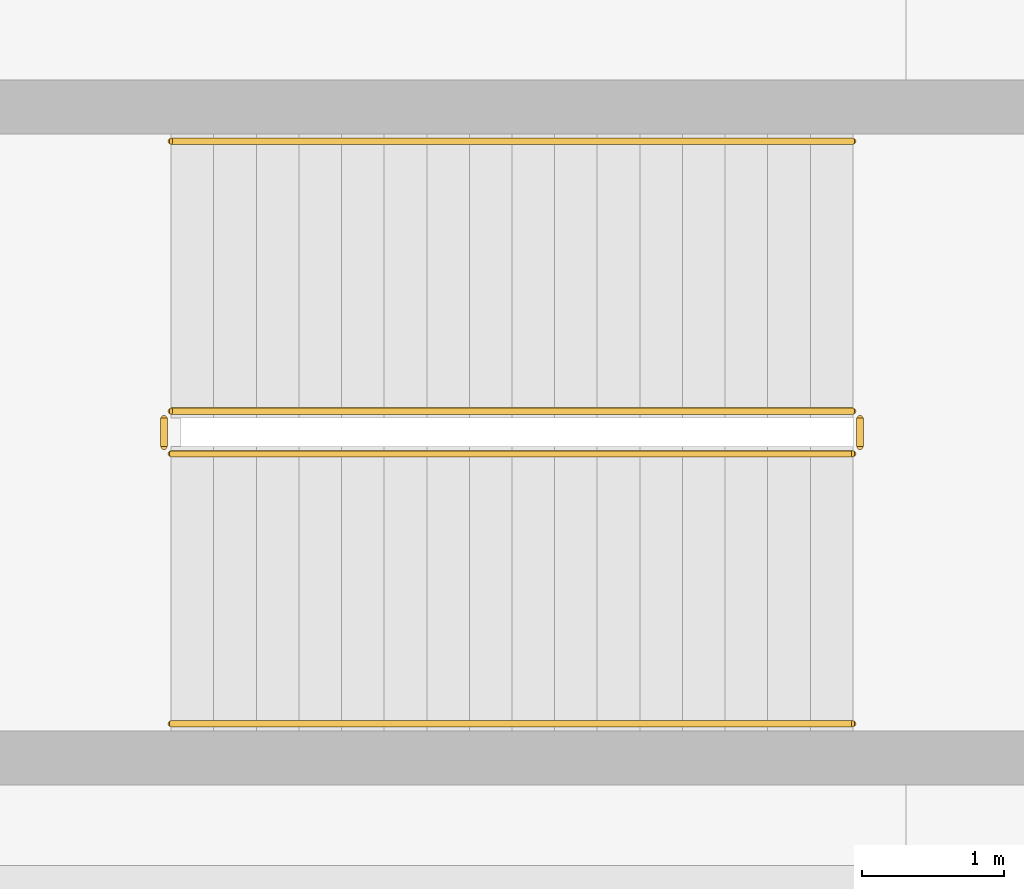
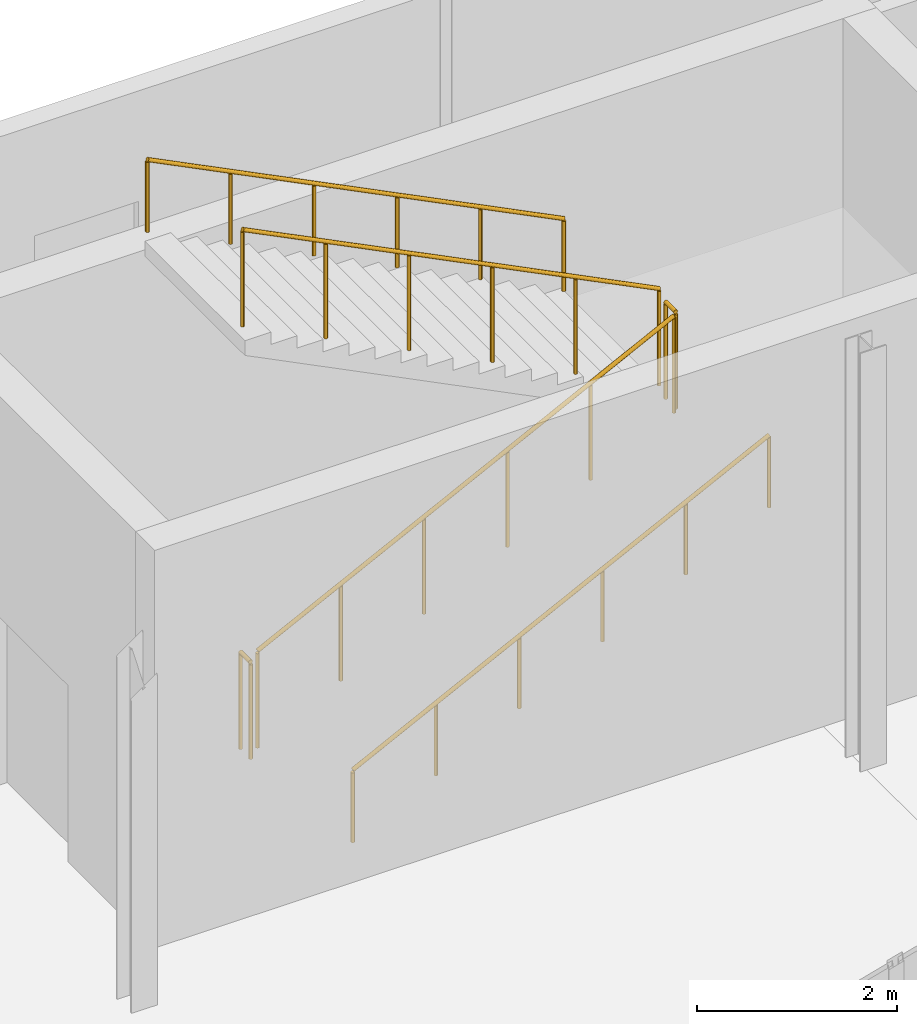
# One storey, part 87 of 91: 6 railings.
"""IFC4 building model written with IfcOpenShell, lengths in metres."""

from ifc_helpers import new_model, si_unit, direction, frame, origin, origin_2d, place, context, subcontext, project, spatial, circle, extrude, material, type_object, element, save


model = new_model("IFC4")

# Units and contexts
model_context = context("Model", 3, precision=1e-05, world=origin(), true_north=direction((0.0, 1.0)))
body_context = subcontext(model_context, "Body", "Model", "MODEL_VIEW")
ifc_project = project(units=[si_unit("LENGTHUNIT", "METRE"), si_unit("AREAUNIT", "SQUARE_METRE"), si_unit("VOLUMEUNIT", "CUBIC_METRE"), si_unit("PLANEANGLEUNIT", "RADIAN"), si_unit("MASSUNIT", "GRAM", prefix="KILO"), si_unit("THERMODYNAMICTEMPERATUREUNIT", "KELVIN")], contexts=[model_context])

# Site, building, storey
site_placement = place(None, origin())
site = spatial("IfcSite", under=ifc_project, at=site_placement, CompositionType="ELEMENT")
building_placement = place(site_placement, origin())
building = spatial("IfcBuilding", under=site, at=building_placement, Name="Lustrewick Department Store", CompositionType="ELEMENT")
storey_placement = place(building_placement, frame((0.0, 0.0, 21.60009765625)))
storey = spatial("IfcBuildingStorey", under=building, at=storey_placement, Name="L05", CompositionType="ELEMENT", Elevation=21.60009765625)

# Railings
ifc_material_1 = material(Name="Painted tubular steel stairwell guardrail", Category="steel")
railing_type_1 = type_object("IfcRailingType", Name="RL-STG", PredefinedType="GUARDRAIL", material=ifc_material_1)
railing_1_placement = place(storey_placement, frame((28.35009765625, 87.050048828125, 0.14990234375)))
element("IfcRailing", 1, at=railing_1_placement, inside=storey, type_object=railing_type_1, Name="L05 ST03 Stair Guard 1", PredefinedType="GUARDRAIL", context=body_context, shape_type="SweptSolid", body=[
    extrude(circle(Radius=0.02392578125, at=origin_2d()), frame((0.0, 0.0, 1.17578125), z_axis=(0.894427191, 0.0, 0.4472135955), x_axis=(0.0, 1.0, 0.0)), (0.0, 0.0, 1.0), 5.366455078125),
    extrude(circle(Radius=0.02099609375, at=origin_2d()), origin(), (0.0, 0.0, 1.0), 1.15185546875),
    extrude(circle(Radius=0.02099609375, at=origin_2d()), frame((0.9599609375, 0.0, 0.47998046875)), (0.0, 0.0, 1.0), 1.15185546875),
    extrude(circle(Radius=0.02099609375, at=origin_2d()), frame((1.919921875, 0.0, 0.9599609375)), (0.0, 0.0, 1.0), 1.15185546875),
    extrude(circle(Radius=0.02099609375, at=origin_2d()), frame((2.8798828125, 0.0, 1.43994140625)), (0.0, 0.0, 1.0), 1.15185546875),
    extrude(circle(Radius=0.02099609375, at=origin_2d()), frame((3.83984375, 0.0, 1.919921875)), (0.0, 0.0, 1.0), 1.15185546875),
    extrude(circle(Radius=0.02099609375, at=origin_2d()), frame((4.7998046875, 0.0, 2.39990234375)), (0.0, 0.0, 1.0), 1.15185546875),
])
railing_2_placement = place(storey_placement, frame((33.199951171875, 87.10009765625, 2.5498046875)))
element("IfcRailing", 2, at=railing_2_placement, inside=storey, type_object=railing_type_1, Name="L05 ST03 Stair Guard 2", PredefinedType="GUARDRAIL", context=body_context, shape_type="SweptSolid", body=[
    extrude(circle(Radius=0.02392578125, at=origin_2d()), frame((0.0, 0.0, 1.17578125), z_axis=(0.0, 1.0, 0.0), x_axis=(-1.0, 0.0, 0.0)), (0.0, 0.0, 1.0), 0.199951171875),
    extrude(circle(Radius=0.02099609375, at=origin_2d()), origin(), (0.0, 0.0, 1.0), 1.15185546875),
    extrude(circle(Radius=0.02099609375, at=origin_2d()), frame((0.0, 0.199951171875, 0.0)), (0.0, 0.0, 1.0), 1.15185546875),
])
railing_3_placement = place(storey_placement, frame((33.14990234375, 87.35009765625, 2.699951171875)))
element("IfcRailing", 3, at=railing_3_placement, inside=storey, type_object=railing_type_1, Name="L05 ST03 Stair Guard 3", PredefinedType="GUARDRAIL", context=body_context, shape_type="SweptSolid", body=[
    extrude(circle(Radius=0.02392578125, at=origin_2d()), frame((0.0, 0.0, 1.17578125), z_axis=(-0.894427191, 0.0, 0.4472135955), x_axis=(0.0, -1.0, 0.0)), (0.0, 0.0, 1.0), 5.366455078125),
    extrude(circle(Radius=0.02099609375, at=origin_2d()), origin(), (0.0, 0.0, 1.0), 1.15185546875),
    extrude(circle(Radius=0.02099609375, at=origin_2d()), frame((-0.9599609375, 0.0, 0.47998046875)), (0.0, 0.0, 1.0), 1.15185546875),
    extrude(circle(Radius=0.02099609375, at=origin_2d()), frame((-1.919921875, 0.0, 0.9599609375)), (0.0, 0.0, 1.0), 1.15185546875),
    extrude(circle(Radius=0.02099609375, at=origin_2d()), frame((-2.8798828125, 0.0, 1.43994140625)), (0.0, 0.0, 1.0), 1.15185546875),
    extrude(circle(Radius=0.02099609375, at=origin_2d()), frame((-3.83984375, 0.0, 1.919921875)), (0.0, 0.0, 1.0), 1.15185546875),
    extrude(circle(Radius=0.02099609375, at=origin_2d()), frame((-4.7998046875, 0.0, 2.39990234375)), (0.0, 0.0, 1.0), 1.15185546875),
])
railing_4_placement = place(storey_placement, frame((28.300048828125, 87.10009765625, 0.0)))
element("IfcRailing", 4, at=railing_4_placement, inside=storey, type_object=railing_type_1, Name="L05 ST03 Stair Guard 4", PredefinedType="GUARDRAIL", context=body_context, shape_type="SweptSolid", body=[
    extrude(circle(Radius=0.02392578125, at=origin_2d()), frame((0.0, 0.0, 1.17578125), z_axis=(0.0, 1.0, 0.0), x_axis=(-1.0, 0.0, 0.0)), (0.0, 0.0, 1.0), 0.199951171875),
    extrude(circle(Radius=0.02099609375, at=origin_2d()), origin(), (0.0, 0.0, 1.0), 1.15185546875),
    extrude(circle(Radius=0.02099609375, at=origin_2d()), frame((0.0, 0.199951171875, 0.0)), (0.0, 0.0, 1.0), 1.15185546875),
])
ifc_material_2 = material(Name="Brushed stainless steel wall handrail", Category="steel")
railing_type_2 = type_object("IfcRailingType", Name="RL-STH", PredefinedType="HANDRAIL", material=ifc_material_2)
railing_5_placement = place(storey_placement, frame((28.35009765625, 85.14990234375, 0.14990234375)))
element("IfcRailing", 5, at=railing_5_placement, inside=storey, type_object=railing_type_2, Name="L05 ST03 Stair Handrail 1", PredefinedType="HANDRAIL", context=body_context, shape_type="SweptSolid", body=[
    extrude(circle(Radius=0.02392578125, at=origin_2d()), frame((0.0, 0.0, 0.8759765625), z_axis=(0.894427191, 0.0, 0.4472135955), x_axis=(0.0, 1.0, 0.0)), (0.0, 0.0, 1.0), 5.366455078125),
    extrude(circle(Radius=0.02099609375, at=origin_2d()), origin(), (0.0, 0.0, 1.0), 0.851806640625),
    extrude(circle(Radius=0.02099609375, at=origin_2d()), frame((0.9599609375, 0.0, 0.47998046875)), (0.0, 0.0, 1.0), 0.851806640625),
    extrude(circle(Radius=0.02099609375, at=origin_2d()), frame((1.919921875, 0.0, 0.9599609375)), (0.0, 0.0, 1.0), 0.851806640625),
    extrude(circle(Radius=0.02099609375, at=origin_2d()), frame((2.8798828125, 0.0, 1.43994140625)), (0.0, 0.0, 1.0), 0.851806640625),
    extrude(circle(Radius=0.02099609375, at=origin_2d()), frame((3.83984375, 0.0, 1.919921875)), (0.0, 0.0, 1.0), 0.851806640625),
    extrude(circle(Radius=0.02099609375, at=origin_2d()), frame((4.7998046875, 0.0, 2.39990234375)), (0.0, 0.0, 1.0), 0.851806640625),
])
railing_6_placement = place(storey_placement, frame((33.14990234375, 89.25, 2.699951171875)))
element("IfcRailing", 6, at=railing_6_placement, inside=storey, type_object=railing_type_2, Name="L05 ST03 Stair Handrail 2", PredefinedType="HANDRAIL", context=body_context, shape_type="SweptSolid", body=[
    extrude(circle(Radius=0.02392578125, at=origin_2d()), frame((0.0, 0.0, 0.8759765625), z_axis=(-0.894427191, 0.0, 0.4472135955), x_axis=(0.0, -1.0, 0.0)), (0.0, 0.0, 1.0), 5.366455078125),
    extrude(circle(Radius=0.02099609375, at=origin_2d()), origin(), (0.0, 0.0, 1.0), 0.851806640625),
    extrude(circle(Radius=0.02099609375, at=origin_2d()), frame((-0.9599609375, 0.0, 0.47998046875)), (0.0, 0.0, 1.0), 0.851806640625),
    extrude(circle(Radius=0.02099609375, at=origin_2d()), frame((-1.919921875, 0.0, 0.9599609375)), (0.0, 0.0, 1.0), 0.851806640625),
    extrude(circle(Radius=0.02099609375, at=origin_2d()), frame((-2.8798828125, 0.0, 1.43994140625)), (0.0, 0.0, 1.0), 0.851806640625),
    extrude(circle(Radius=0.02099609375, at=origin_2d()), frame((-3.83984375, 0.0, 1.919921875)), (0.0, 0.0, 1.0), 0.851806640625),
    extrude(circle(Radius=0.02099609375, at=origin_2d()), frame((-4.7998046875, 0.0, 2.39990234375)), (0.0, 0.0, 1.0), 0.851806640625),
])

save(model, "model.ifc")
